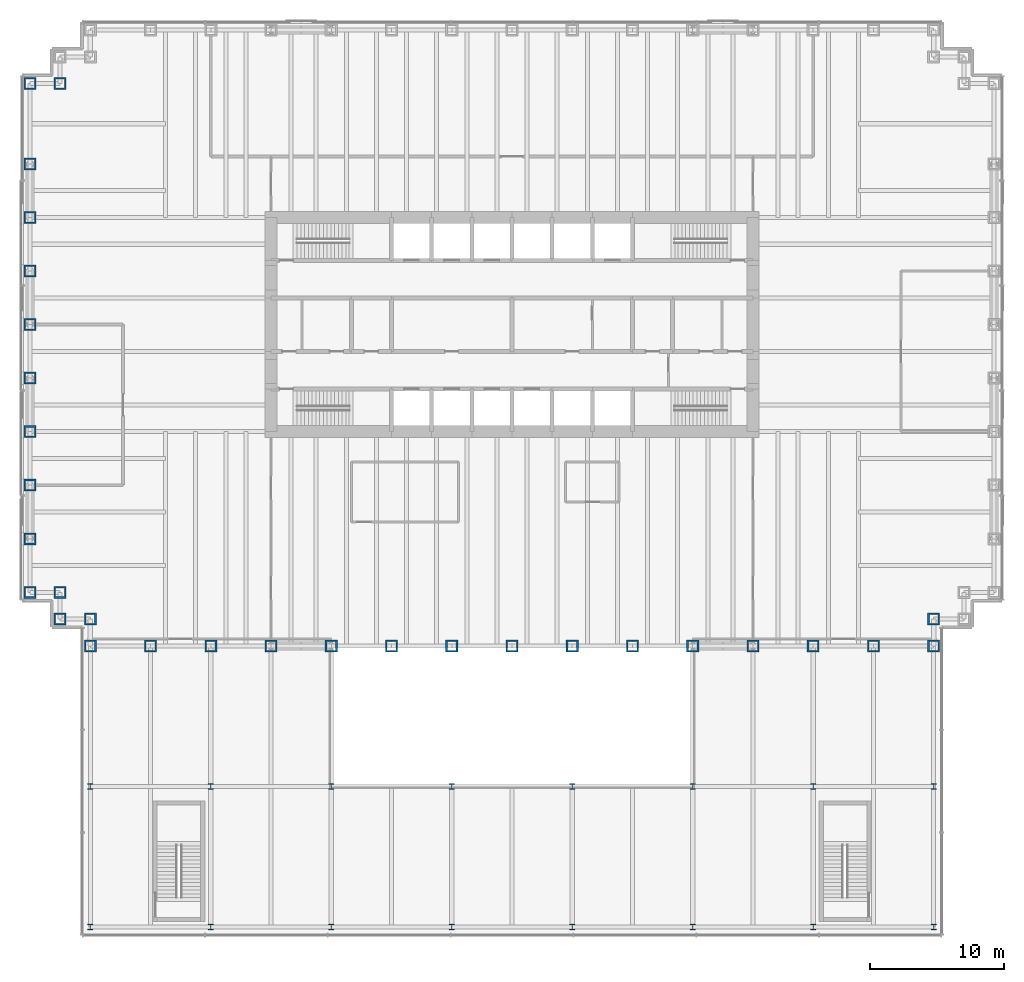
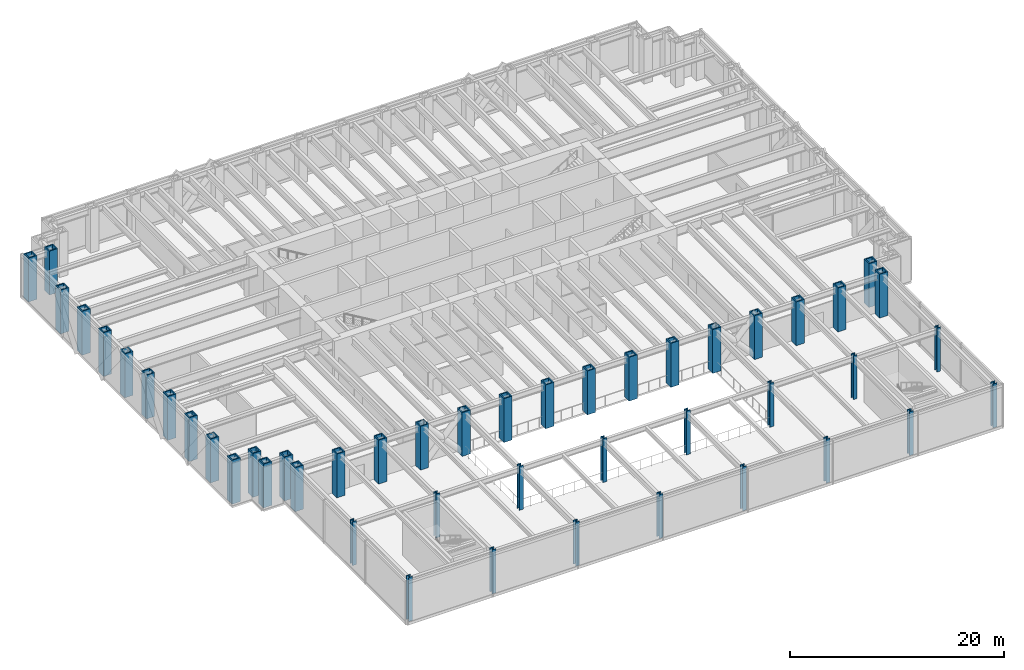
# One storey, part 1 of 17: 46 columns.
"""IFC4 building model written with IfcOpenShell, lengths in metres."""

from ifc_helpers import new_model, si_unit, direction, frame, origin, origin_2d, place, context, subcontext, project, spatial, hollow_rectangle, i_section, extrude, material, material_profile, profile_set, type_object, element, save


model = new_model("IFC4")

# Units and contexts
model_context = context("Model", 3, precision=1e-05, world=origin(), true_north=direction((0.0, 1.0)))
body_context = subcontext(model_context, "Body", "Model", "MODEL_VIEW")
ifc_project = project(units=[si_unit("LENGTHUNIT", "METRE"), si_unit("AREAUNIT", "SQUARE_METRE"), si_unit("VOLUMEUNIT", "CUBIC_METRE"), si_unit("PLANEANGLEUNIT", "RADIAN"), si_unit("MASSUNIT", "GRAM", prefix="KILO")], contexts=[model_context])

# Site, building, storey
site_placement = place(None, origin())
site = spatial("IfcSite", under=ifc_project, at=site_placement, CompositionType="ELEMENT")
building_placement = place(site_placement, origin())
building = spatial("IfcBuilding", under=site, at=building_placement, Name="Rheinbord Bourse Tower", CompositionType="ELEMENT")
storey_placement = place(building_placement, frame((0.0, 0.0, 13.0)))
storey = spatial("IfcBuildingStorey", under=building, at=storey_placement, Name="L02", CompositionType="ELEMENT", Elevation=13.0)

# Columns
ifc_material_1 = material(Name="Steel S460", Category="steel")
ifc_material_profile_1 = material_profile(ifc_material_1, i_section(OverallWidth=0.41796875, OverallDepth=0.455078125, WebThickness=0.0419921875, FlangeThickness=0.067626953125, at=origin_2d()), Name="HD 400x551")
ifc_profile_set_1 = profile_set([ifc_material_profile_1], Name="Steel S460")
column_type_1 = type_object("IfcColumnType", Name="PODIUM COLUMN HD 400x551", PredefinedType="COLUMN", material=ifc_profile_set_1)
for number, where, z_axis, x_axis, name in (
    (1, (4.5, -21.0, 0.0), (0.0, 0.0, 1.0), (1.0, 0.0, 0.0), "Podium column 4.5 / -21 L02"),
    (2, (4.5, -10.5, 0.0), (0.0, 0.0, 1.0), (1.0, 0.0, 0.0), "Podium column 4.5 / -10.5 L02"),
    (3, (13.5, -21.0, 0.0), (0.0, 0.0, 1.0), (1.0, 0.0, 0.0), "Podium column 13.5 / -21 L02"),
    (4, (13.5, -10.5, 0.0), (0.0, 0.0, 1.0), (1.0, 0.0, 0.0), "Podium column 13.5 / -10.5 L02"),
    (5, (22.5, -21.0, 0.0), (0.0, 0.0, 1.0), (1.0, 0.0, 0.0), "Podium column 22.5 / -21 L02"),
    (6, (22.5, -10.5, 0.0), (0.0, 0.0, 1.0), (1.0, 0.0, 0.0), "Podium column 22.5 / -10.5 L02"),
    (7, (31.5, -21.0, 0.0), (0.0, 0.0, 1.0), (1.0, 0.0, 0.0), "Podium column 31.5 / -21 L02"),
    (8, (31.5, -10.5, 0.0), (0.0, 0.0, 1.0), (1.0, 0.0, 0.0), "Podium column 31.5 / -10.5 L02"),
    (9, (40.5, -21.0, 0.0), (0.0, 0.0, 1.0), (1.0, 0.0, 0.0), "Podium column 40.5 / -21 L02"),
    (10, (40.5, -10.5, 0.0), (0.0, 0.0, 1.0), (1.0, 0.0, 0.0), "Podium column 40.5 / -10.5 L02"),
    (11, (49.5, -21.0, 0.0), (0.0, 0.0, 1.0), (1.0, 0.0, 0.0), "Podium column 49.5 / -21 L02"),
    (12, (49.5, -10.5, 0.0), (0.0, 0.0, 1.0), (1.0, 0.0, 0.0), "Podium column 49.5 / -10.5 L02"),
    (13, (58.5, -21.0, 0.0), (0.0, 0.0, 1.0), (1.0, 0.0, 0.0), "Podium column 58.5 / -21 L02"),
    (14, (58.5, -10.5, 0.0), (0.0, 0.0, 1.0), (1.0, 0.0, 0.0), "Podium column 58.5 / -10.5 L02"),
    (15, (67.5, -21.0, 0.0), (0.0, 0.0, 1.0), (1.0, 0.0, 0.0), "Podium column 67.5 / -21 L02"),
    (16, (67.5, -10.5, 0.0), (0.0, 0.0, 1.0), (1.0, 0.0, 0.0), "Podium column 67.5 / -10.5 L02"),
):
    element("IfcColumn", number, at=place(storey_placement, frame(where, z_axis=z_axis, x_axis=x_axis)), inside=storey, type_object=column_type_1, Name=name, PredefinedType="COLUMN", context=body_context, shape_type="SweptSolid", body=[
        extrude(i_section(OverallWidth=0.41796875, OverallDepth=0.455078125, WebThickness=0.0419921875, FlangeThickness=0.067626953125, at=origin_2d()), origin(), (0.0, 0.0, 1.0), 5.0),
    ])
ifc_material_2 = material(Name="Steel S460M", Category="steel")
ifc_material_profile_2 = material_profile(ifc_material_2, hollow_rectangle(XDim=0.89990234375, YDim=0.89990234375, WallThickness=0.1201171875, at=origin_2d()), Name="BOX 900x900x120")
ifc_profile_set_2 = profile_set([ifc_material_profile_2], Name="Steel S460M")
column_type_2 = type_object("IfcColumnType", Name="TUBE COLUMN BOX 900x900x120", PredefinedType="COLUMN", material=ifc_profile_set_2)
for number, where, z_axis, x_axis, name in (
    (17, (4.5, 0.0, 0.0), (0.0, 0.0, 1.0), (0.0, 1.0, 0.0), "Column SW-E L02"),
    (18, (9.0, 0.0, 0.0), (0.0, 0.0, 1.0), (0.0, 1.0, 0.0), "Column S-9 L02"),
    (19, (13.5, 0.0, 0.0), (0.0, 0.0, 1.0), (0.0, 1.0, 0.0), "Column S-13.5 L02"),
    (20, (18.0, 0.0, 0.0), (0.0, 0.0, 1.0), (0.0, 1.0, 0.0), "Column S-18 L02"),
    (21, (22.5, 0.0, 0.0), (0.0, 0.0, 1.0), (0.0, 1.0, 0.0), "Column S-22.5 L02"),
    (22, (27.0, 0.0, 0.0), (0.0, 0.0, 1.0), (0.0, 1.0, 0.0), "Column S-27 L02"),
    (23, (31.5, 0.0, 0.0), (0.0, 0.0, 1.0), (0.0, 1.0, 0.0), "Column S-31.5 L02"),
    (24, (36.0, 0.0, 0.0), (0.0, 0.0, 1.0), (0.0, 1.0, 0.0), "Column S-36 L02"),
    (25, (40.5, 0.0, 0.0), (0.0, 0.0, 1.0), (0.0, 1.0, 0.0), "Column S-40.5 L02"),
    (26, (45.0, 0.0, 0.0), (0.0, 0.0, 1.0), (0.0, 1.0, 0.0), "Column S-45 L02"),
    (27, (49.5, 0.0, 0.0), (0.0, 0.0, 1.0), (0.0, 1.0, 0.0), "Column S-49.5 L02"),
    (28, (54.0, 0.0, 0.0), (0.0, 0.0, 1.0), (0.0, 1.0, 0.0), "Column S-54 L02"),
    (29, (58.5, 0.0, 0.0), (0.0, 0.0, 1.0), (0.0, 1.0, 0.0), "Column S-58.5 L02"),
    (30, (63.0, 0.0, 0.0), (0.0, 0.0, 1.0), (0.0, 1.0, 0.0), "Column S-63 L02"),
    (31, (67.5, 0.0, 0.0), (0.0, 0.0, 1.0), (0.0, 1.0, 0.0), "Column SE-E L02"),
    (32, (67.5, 2.0, 0.0), (0.0, 0.0, 1.0), (0.0, 1.0, 0.0), "Column SE-D L02"),
    (33, (2.25, 42.0, 0.0), (0.0, 0.0, 1.0), (1.0, 0.0, 0.0), "Column NW-B L02"),
    (34, (0.0, 42.0, 0.0), (0.0, 0.0, 1.0), (1.0, 0.0, 0.0), "Column NW-A L02"),
    (35, (0.0, 36.0, 0.0), (0.0, 0.0, 1.0), (1.0, 0.0, 0.0), "Column W-36 L02"),
    (36, (0.0, 32.0, 0.0), (0.0, 0.0, 1.0), (1.0, 0.0, 0.0), "Column W-32 L02"),
    (37, (0.0, 28.0, 0.0), (0.0, 0.0, 1.0), (1.0, 0.0, 0.0), "Column W-28 L02"),
    (38, (0.0, 24.0, 0.0), (0.0, 0.0, 1.0), (1.0, 0.0, 0.0), "Column W-24 L02"),
    (39, (0.0, 20.0, 0.0), (0.0, 0.0, 1.0), (1.0, 0.0, 0.0), "Column W-20 L02"),
    (40, (0.0, 16.0, 0.0), (0.0, 0.0, 1.0), (1.0, 0.0, 0.0), "Column W-16 L02"),
    (41, (0.0, 12.0, 0.0), (0.0, 0.0, 1.0), (1.0, 0.0, 0.0), "Column W-12 L02"),
    (42, (0.0, 8.0, 0.0), (0.0, 0.0, 1.0), (1.0, 0.0, 0.0), "Column W-8 L02"),
    (43, (0.0, 4.0, 0.0), (0.0, 0.0, 1.0), (1.0, 0.0, 0.0), "Column SW-A L02"),
    (44, (2.25, 4.0, 0.0), (0.0, 0.0, 1.0), (1.0, 0.0, 0.0), "Column SW-B L02"),
    (45, (2.25, 2.0, 0.0), (0.0, 0.0, 1.0), (1.0, 0.0, 0.0), "Column SW-C L02"),
    (46, (4.5, 2.0, 0.0), (0.0, 0.0, 1.0), (0.0, 1.0, 0.0), "Column SW-D L02"),
):
    element("IfcColumn", number, at=place(storey_placement, frame(where, z_axis=z_axis, x_axis=x_axis)), inside=storey, type_object=column_type_2, Name=name, PredefinedType="COLUMN", context=body_context, shape_type="SweptSolid", body=[
        extrude(hollow_rectangle(XDim=0.89990234375, YDim=0.89990234375, WallThickness=0.1201171875, at=origin_2d()), origin(), (0.0, 0.0, 1.0), 5.0),
    ])

save(model, "model.ifc")
